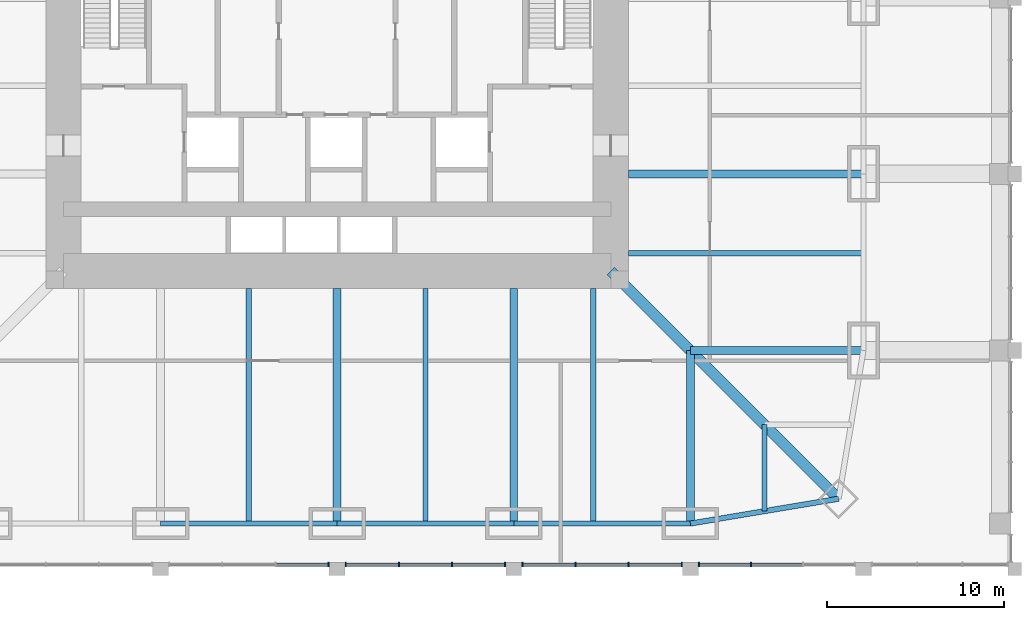
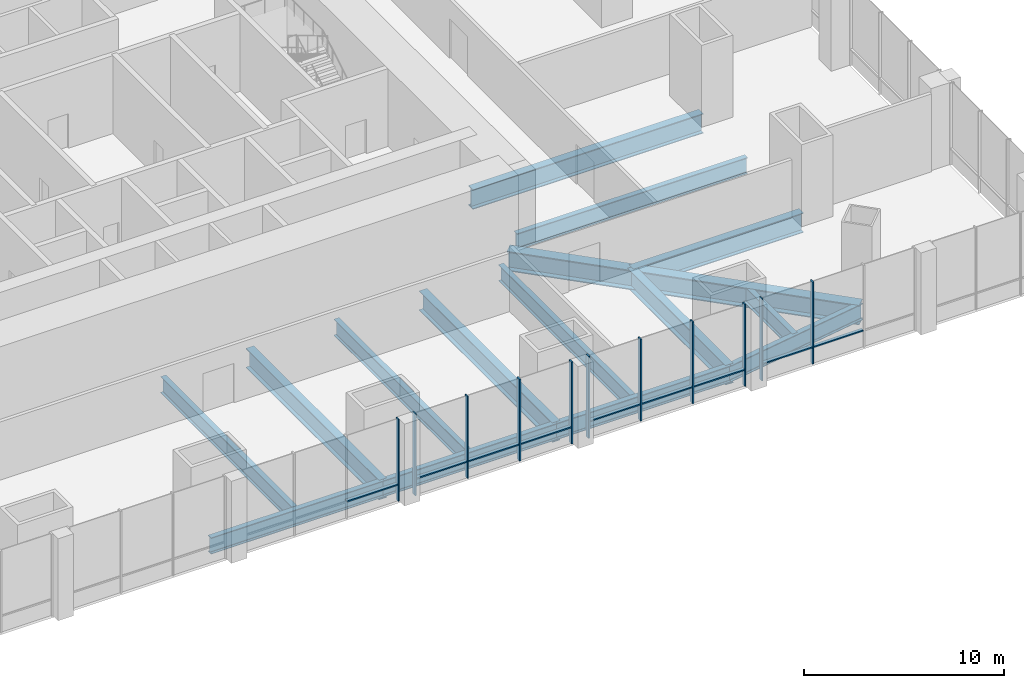
# One storey, part 4 of 22: 20 members, 15 beams, 4 elements without a shape of their own.
"""IFC4 building model written with IfcOpenShell, lengths in metres."""

import ifcopenshell
import ifcopenshell.guid

model = None  # the IFC model being written
_history = None  # IfcOwnerHistory: only IFC2X3 demands one
_inside = {}  # id of a spatial element -> (the spatial element, [elements in it])
_under = {}  # id of a project, library or spatial element -> (it, [spatial elements below it])
_declared = {}  # id of a project -> (the project, [libraries it declares])
_typed = {}  # id of a type object -> (the type object, [elements of that type])
_made_of = {}  # id of a material, layer set ... -> (it, [elements and type objects made of it])


def new_model(schema):
    """Start an empty IFC model of exactly this schema.

    Asked for "IFC4X3", IfcOpenShell would pick the latest addendum, in which some entities
    have other attributes; the version numbers below select the first issue.
    IFC2X3 requires an IfcOwnerHistory on every rooted entity: one is made here for all.
    """
    global model, _history
    if schema == "IFC4X3":
        model = ifcopenshell.file(schema_version=(4, 3, 0, 0))
    else:
        model = ifcopenshell.file(schema=schema)
    _inside.clear()
    _under.clear()
    _declared.clear()
    _typed.clear()
    _made_of.clear()
    _history = None
    if model.schema == "IFC2X3":
        org = make("IfcOrganization", Name="unknown")
        user = make(
            "IfcPersonAndOrganization",
            ThePerson=make("IfcPerson", FamilyName="unknown"),
            TheOrganization=org,
        )
        app = make(
            "IfcApplication",
            ApplicationDeveloper=org,
            Version="unknown",
            ApplicationFullName="unknown",
            ApplicationIdentifier="unknown",
        )
        _history = make(
            "IfcOwnerHistory",
            OwningUser=user,
            OwningApplication=app,
            ChangeAction="ADDED",
            CreationDate=0,
        )
    return model


def make(cls, **values):
    """One entity of the class cls with the attributes given. An attribute that is None is left unset."""
    return model.create_entity(
        cls, **{name: value for name, value in values.items() if value is not None}
    )


def rooted(cls, **values):
    """An entity with a GlobalId (a new one), such as an element, a storey or a relation."""
    return make(cls, GlobalId=ifcopenshell.guid.new(), OwnerHistory=_history, **values)


def si_unit(unit_type, name, prefix=None):
    """IfcSIUnit, for example si_unit("LENGTHUNIT", "METRE", prefix="MILLI")."""
    return make("IfcSIUnit", UnitType=unit_type, Prefix=prefix, Name=name)


def assignment(units):
    """IfcUnitAssignment: the units of a project."""
    return None if units is None else make("IfcUnitAssignment", Units=units)


def point(xyz):
    """IfcCartesianPoint."""
    return None if xyz is None else make("IfcCartesianPoint", Coordinates=xyz)


def direction(xyz):
    """IfcDirection."""
    return None if xyz is None else make("IfcDirection", DirectionRatios=xyz)


def frame(location, z_axis=None, x_axis=None):
    """IfcAxis2Placement3D, a coordinate frame: its origin and axes. An axis left out is left unset."""
    return make(
        "IfcAxis2Placement3D",
        Location=point(location),
        Axis=direction(z_axis),
        RefDirection=direction(x_axis),
    )


def frame_2d(location, x_axis=None):
    """IfcAxis2Placement2D, a coordinate frame in the plane: its origin and x axis."""
    return make(
        "IfcAxis2Placement2D", Location=point(location), RefDirection=direction(x_axis)
    )


def origin():
    """The frame at (0, 0, 0) with its axes left unset."""
    return frame((0.0, 0.0, 0.0))


def origin_2d():
    """The frame at (0, 0) in the plane with its x axis left unset."""
    return frame_2d((0.0, 0.0))


def place(relative_to, where):
    """IfcLocalPlacement: puts the frame where relative to a parent placement (None: the world)."""
    return make(
        "IfcLocalPlacement", PlacementRelTo=relative_to, RelativePlacement=where
    )


def context(
    kind, dimensions, precision=None, world=None, true_north=None, identifier=None
):
    """IfcGeometricRepresentationContext, for example the 3D "Model" context."""
    return make(
        "IfcGeometricRepresentationContext",
        ContextIdentifier=identifier,
        ContextType=kind,
        CoordinateSpaceDimension=dimensions,
        Precision=precision,
        WorldCoordinateSystem=world,
        TrueNorth=true_north,
    )


def subcontext(parent, identifier, kind, view, scale=None):
    """IfcGeometricRepresentationSubContext, for example "Body" below "Model"."""
    return make(
        "IfcGeometricRepresentationSubContext",
        ContextIdentifier=identifier,
        ContextType=kind,
        ParentContext=parent,
        TargetScale=scale,
        TargetView=view,
    )


def project(units=None, contexts=None):
    """IfcProject with its units and contexts."""
    return rooted(
        "IfcProject",
        Name="project",
        RepresentationContexts=contexts,
        UnitsInContext=assignment(units),
    )


def spatial(cls, under=None, at=None, **own):
    """A site, building, storey or space (cls), placed at a placement, below another one or the project."""
    s = rooted(cls, ObjectPlacement=at, **own)
    if under is not None:
        _under.setdefault(under.id(), (under, []))[1].append(s)
    return s


def profile(cls, at=None, kind="AREA", **sizes):
    """A parametric profile (cls). Its sizes go by their IFC names, for example OverallWidth=200.0."""
    return make(cls, ProfileType=kind, Position=at, **sizes)


def rectangle(**sizes):
    """IfcRectangleProfileDef."""
    return profile("IfcRectangleProfileDef", **sizes)


def i_section(**sizes):
    """IfcIShapeProfileDef."""
    return profile("IfcIShapeProfileDef", **sizes)


def extrude(swept, where, along, depth):
    """IfcExtrudedAreaSolid: the profile swept, set in the frame where, extruded along a direction by depth."""
    return make(
        "IfcExtrudedAreaSolid",
        SweptArea=swept,
        Position=where,
        ExtrudedDirection=direction(along),
        Depth=depth,
    )


def shape(context_of_items, identifier, shape_type, items):
    """IfcShapeRepresentation: the items that make up one representation, for example the "Body"."""
    return make(
        "IfcShapeRepresentation",
        ContextOfItems=context_of_items,
        RepresentationIdentifier=identifier,
        RepresentationType=shape_type,
        Items=items,
    )


def material(Name=None, Category=None):
    """IfcMaterial."""
    return make("IfcMaterial", Name=Name, Category=Category)


def material_profile(
    of_material, cross_section, Name=None, Category=None, Priority=None
):
    """IfcMaterialProfile: a cross section and its material."""
    return make(
        "IfcMaterialProfile",
        Name=Name,
        Material=of_material,
        Profile=cross_section,
        Priority=Priority,
        Category=Category,
    )


def profile_set(profiles, Name=None, composite=None):
    """IfcMaterialProfileSet."""
    return make(
        "IfcMaterialProfileSet",
        Name=Name,
        MaterialProfiles=profiles,
        CompositeProfile=composite,
    )


def made_of(thing, what):
    """Note that an element or type object is made of a material, layer set ...; save() writes the relation."""
    if what is not None:
        _made_of.setdefault(what.id(), (what, []))[1].append(thing)
    return thing


def type_object(cls, material=None, **own):
    """A type object (cls), such as IfcWallType, which elements share."""
    return made_of(rooted(cls, **own), material)


def element(
    cls,
    number,
    at=None,
    inside=None,
    cuts=None,
    type_object=None,
    material=None,
    context=None,
    identifier="Body",
    shape_type=None,
    held_by="IfcProductDefinitionShape",
    body=None,
    shapes=None,
    **own,
):
    """One element of the class cls, such as IfcWall. Its Tag is "e" and its number.

    at: its placement. inside: the storey or other place that contains it. cuts: it is an
    opening in that element (IfcRelVoidsElement). A single representation is given by context,
    identifier, shape_type and body (its items); several are given by shapes. held_by: the class
    of the entity that holds the representations. save() writes the other relations.
    """
    e = rooted(cls, Tag="e%d" % number, ObjectPlacement=at, **own)
    if body is not None:
        shapes = [shape(context, identifier, shape_type, body)]
    if shapes is not None:
        e.Representation = make(held_by, Representations=shapes)
    if inside is not None:
        _inside.setdefault(inside.id(), (inside, []))[1].append(e)
    if cuts is not None:
        rooted(
            "IfcRelVoidsElement", RelatingBuildingElement=cuts, RelatedOpeningElement=e
        )
    if type_object is not None:
        _typed.setdefault(type_object.id(), (type_object, []))[1].append(e)
    return made_of(e, material)


def aggregate(whole, parts):
    """IfcRelAggregates: a whole, such as a stair, and the parts it consists of."""
    return rooted("IfcRelAggregates", RelatingObject=whole, RelatedObjects=parts)


def save(model, path):
    """Write the relations noted so far, then the file.

    IfcRelAggregates (storeys below a building ...), IfcRelContainedInSpatialStructure (elements
    in a storey), IfcRelDefinesByType, IfcRelAssociatesMaterial and IfcRelDeclares: one each for
    every whole, place, type object, material and project.
    """
    for whole, parts in _under.values():
        aggregate(whole, parts)
    for where, things in _inside.values():
        rooted(
            "IfcRelContainedInSpatialStructure",
            RelatedElements=things,
            RelatingStructure=where,
        )
    for kind, things in _typed.values():
        rooted("IfcRelDefinesByType", RelatedObjects=things, RelatingType=kind)
    for what, things in _made_of.values():
        rooted("IfcRelAssociatesMaterial", RelatedObjects=things, RelatingMaterial=what)
    for by, libraries in _declared.values():
        rooted("IfcRelDeclares", RelatingContext=by, RelatedDefinitions=libraries)
    model.write(path)


model = new_model("IFC4")

# Units and contexts
model_context = context("Model", 3, precision=1e-05, world=origin(), true_north=direction((0.0, 1.0)))
body_context = subcontext(model_context, "Body", "Model", "MODEL_VIEW")
ifc_project = project(units=[si_unit("LENGTHUNIT", "METRE"), si_unit("AREAUNIT", "SQUARE_METRE"), si_unit("VOLUMEUNIT", "CUBIC_METRE"), si_unit("PLANEANGLEUNIT", "RADIAN"), si_unit("MASSUNIT", "GRAM", prefix="KILO")], contexts=[model_context])

# Site, building, storey
site_placement = place(None, origin())
site = spatial("IfcSite", under=ifc_project, at=site_placement, CompositionType="ELEMENT")
building_placement = place(site_placement, origin())
building = spatial("IfcBuilding", under=site, at=building_placement, Name="Khuree Lantern Residences", CompositionType="ELEMENT")
storey_placement = place(building_placement, frame((0.0, 0.0, 16.0)))
storey = spatial("IfcBuildingStorey", under=building, at=storey_placement, Name="L03", CompositionType="ELEMENT", Elevation=16.0)

# Beams
ifc_material_1 = material(Name="Steel S355", Category="steel")
ifc_material_profile_1 = material_profile(ifc_material_1, i_section(OverallWidth=0.300048828125, OverallDepth=1.0, WebThickness=0.01904296875, FlangeThickness=0.035888671875, FilletRadius=0.030029296875, at=origin_2d()), Name="HE 1000 B")
ifc_profile_set_1 = profile_set([ifc_material_profile_1], Name="Steel S355")
beam_type_1 = type_object("IfcBeamType", Name="B-03 SECONDARY BEAM HE 1000 B", PredefinedType="BEAM", material=ifc_profile_set_1)
beam_1_placement = place(storey_placement, frame((29.800048828125, -14.5, -0.800048828125), z_axis=(-1.0, 0.0, 0.0), x_axis=(0.0, -1.0, 0.0)))
element("IfcBeam", 1, at=beam_1_placement, inside=storey, type_object=beam_type_1, Name="Secondary beam E5", PredefinedType="BEAM", context=body_context, shape_type="SweptSolid", body=[
    extrude(i_section(OverallWidth=0.300048828125, OverallDepth=1.0, WebThickness=0.01904296875, FlangeThickness=0.035888671875, FilletRadius=0.030029296875, at=origin_2d()), origin(), (0.0, 0.0, 1.0), 13.300048828125),
])
beam_2_placement = place(storey_placement, frame((24.197021484375, -29.09716796875, -0.800048828125), z_axis=(0.0, 1.0, 0.0), x_axis=(-1.0, 0.0, 0.0)))
element("IfcBeam", 2, at=beam_2_placement, inside=storey, type_object=beam_type_1, Name="Secondary beam S1", PredefinedType="BEAM", context=body_context, shape_type="SweptSolid", body=[
    extrude(i_section(OverallWidth=0.300048828125, OverallDepth=1.0, WebThickness=0.01904296875, FlangeThickness=0.035888671875, FilletRadius=0.030029296875, at=origin_2d()), origin(), (0.0, 0.0, 1.0), 4.900146484375),
])
for number, where, z_axis, x_axis, name in (
    (3, (14.5, -29.800048828125, -0.800048828125), (0.0, 1.0, 0.0), (-1.0, 0.0, 0.0), "Secondary beam S2"),
    (4, (5.0, -29.800048828125, -0.800048828125), (0.0, 1.0, 0.0), (-1.0, 0.0, 0.0), "Secondary beam S3"),
    (5, (-5.0, -29.800048828125, -0.800048828125), (0.0, 1.0, 0.0), (-1.0, 0.0, 0.0), "Secondary beam S4"),
):
    element("IfcBeam", number, at=place(storey_placement, frame(where, z_axis=z_axis, x_axis=x_axis)), inside=storey, type_object=beam_type_1, Name=name, PredefinedType="BEAM", context=body_context, shape_type="SweptSolid", body=[
        extrude(i_section(OverallWidth=0.300048828125, OverallDepth=1.0, WebThickness=0.01904296875, FlangeThickness=0.035888671875, FilletRadius=0.030029296875, at=origin_2d()), origin(), (0.0, 0.0, 1.0), 13.300048828125),
    ])
ifc_material_profile_2 = material_profile(ifc_material_1, i_section(OverallWidth=0.300048828125, OverallDepth=1.0, WebThickness=0.01904296875, FlangeThickness=0.035888671875, FilletRadius=0.030029296875, at=origin_2d()), Name="HE 1000 B")
ifc_profile_set_2 = profile_set([ifc_material_profile_2], Name="Steel S355")
beam_type_2 = type_object("IfcBeamType", Name="E-03 SPANDREL BEAM HE 1000 B", PredefinedType="SPANDREL", material=ifc_profile_set_2)
beam_3_placement = place(storey_placement, frame((28.39404296875, -28.39404296875, -0.800048828125), z_axis=(-0.986260251158, -0.165199022349, 0.0), x_axis=(0.165199022349, -0.986260251158, 0.0)))
element("IfcBeam", 6, at=beam_3_placement, inside=storey, type_object=beam_type_2, Name="Spandrel beam S1", PredefinedType="SPANDREL", context=body_context, shape_type="SweptSolid", body=[
    extrude(i_section(OverallWidth=0.300048828125, OverallDepth=1.0, WebThickness=0.01904296875, FlangeThickness=0.035888671875, FilletRadius=0.030029296875, at=origin_2d()), origin(), (0.0, 0.0, 1.0), 8.510986328125),
])
for number, where, z_axis, x_axis, name in (
    (7, (20.0, -29.800048828125, -0.800048828125), (-1.0, 0.0, 0.0), (0.0, -1.0, 0.0), "Spandrel beam S2"),
    (8, (10.0, -29.800048828125, -0.800048828125), (-1.0, 0.0, 0.0), (0.0, -1.0, 0.0), "Spandrel beam S3"),
    (9, (0.0, -29.800048828125, -0.800048828125), (-1.0, 0.0, 0.0), (0.0, -1.0, 0.0), "Spandrel beam S4"),
):
    element("IfcBeam", number, at=place(storey_placement, frame(where, z_axis=z_axis, x_axis=x_axis)), inside=storey, type_object=beam_type_2, Name=name, PredefinedType="SPANDREL", context=body_context, shape_type="SweptSolid", body=[
        extrude(i_section(OverallWidth=0.300048828125, OverallDepth=1.0, WebThickness=0.01904296875, FlangeThickness=0.035888671875, FilletRadius=0.030029296875, at=origin_2d()), origin(), (0.0, 0.0, 1.0), 10.0),
    ])
ifc_material_profile_3 = material_profile(ifc_material_1, i_section(OverallWidth=0.449951171875, OverallDepth=1.199951171875, WebThickness=0.02490234375, FlangeThickness=0.044921875, at=origin_2d()), Name="WELDED I 1200X450X25X45")
ifc_profile_set_3 = profile_set([ifc_material_profile_3], Name="Steel S355")
beam_type_3 = type_object("IfcBeamType", Name="G-03 GIRDER WELDED I 1200X450X25X45", PredefinedType="BEAM", material=ifc_profile_set_3)
beam_4_placement = place(storey_placement, frame((29.800048828125, -10.0, -0.89990234375), z_axis=(-1.0, 0.0, 0.0), x_axis=(0.0, -1.0, 0.0)))
element("IfcBeam", 10, at=beam_4_placement, inside=storey, type_object=beam_type_3, Name="Girder E4", PredefinedType="BEAM", context=body_context, shape_type="SweptSolid", body=[
    extrude(i_section(OverallWidth=0.449951171875, OverallDepth=1.199951171875, WebThickness=0.02490234375, FlangeThickness=0.044921875, at=origin_2d()), origin(), (0.0, 0.0, 1.0), 13.300048828125),
])
for number, where, z_axis, x_axis, name in (
    (11, (29.800048828125, -20.0, -0.89990234375), (-1.0, 0.0, 0.0), (0.0, -1.0, 0.0), "Girder E5"),
    (12, (20.0, -29.800048828125, -0.89990234375), (0.0, 1.0, 0.0), (-1.0, 0.0, 0.0), "Girder S1"),
):
    element("IfcBeam", number, at=place(storey_placement, frame(where, z_axis=z_axis, x_axis=x_axis)), inside=storey, type_object=beam_type_3, Name=name, PredefinedType="BEAM", context=body_context, shape_type="SweptSolid", body=[
        extrude(i_section(OverallWidth=0.449951171875, OverallDepth=1.199951171875, WebThickness=0.02490234375, FlangeThickness=0.044921875, at=origin_2d()), origin(), (0.0, 0.0, 1.0), 9.800048828125),
    ])
for number, where, z_axis, x_axis, name in (
    (13, (10.0, -29.800048828125, -0.89990234375), (0.0, 1.0, 0.0), (-1.0, 0.0, 0.0), "Girder S2"),
    (14, (0.0, -29.800048828125, -0.89990234375), (0.0, 1.0, 0.0), (-1.0, 0.0, 0.0), "Girder S3"),
):
    element("IfcBeam", number, at=place(storey_placement, frame(where, z_axis=z_axis, x_axis=x_axis)), inside=storey, type_object=beam_type_3, Name=name, PredefinedType="BEAM", context=body_context, shape_type="SweptSolid", body=[
        extrude(i_section(OverallWidth=0.449951171875, OverallDepth=1.199951171875, WebThickness=0.02490234375, FlangeThickness=0.044921875, at=origin_2d()), origin(), (0.0, 0.0, 1.0), 13.300048828125),
    ])
ifc_material_profile_4 = material_profile(ifc_material_1, i_section(OverallWidth=0.60009765625, OverallDepth=1.199951171875, WebThickness=0.030029296875, FlangeThickness=0.06005859375, at=origin_2d()), Name="WELDED I 1200X600X30X60")
ifc_profile_set_4 = profile_set([ifc_material_profile_4], Name="Steel S355")
beam_type_4 = type_object("IfcBeamType", Name="GD-03 CORNER GIRDER WELDED I 1200X600X30X60", PredefinedType="BEAM", material=ifc_profile_set_4)
beam_5_placement = place(storey_placement, frame((28.39404296875, -28.39404296875, -0.89990234375), z_axis=(-0.707106781187, 0.707106781187, 0.0), x_axis=(-0.707106781187, -0.707106781187, 0.0)))
element("IfcBeam", 15, at=beam_5_placement, inside=storey, type_object=beam_type_4, Name="Corner girder SE", PredefinedType="BEAM", context=body_context, shape_type="SweptSolid", body=[
    extrude(i_section(OverallWidth=0.60009765625, OverallDepth=1.199951171875, WebThickness=0.030029296875, FlangeThickness=0.06005859375, at=origin_2d()), origin(), (0.0, 0.0, 1.0), 18.23486328125),
])

# Curtain wall, member
ifc_material_2 = material(Name="Bronze anodised aluminium", Category="aluminium")
curtain_wall_type = type_object("IfcCurtainWallType", Name="CW-P PODIUM STOREFRONT CURTAIN WALL", PredefinedType="USERDEFINED", material=ifc_material_2)
curtain_wall_1_placement = place(storey_placement, origin())
curtain_wall_1 = element("IfcCurtainWall", 16, at=curtain_wall_1_placement, inside=storey, type_object=curtain_wall_type, Name="L03 SOUTH FACE BAY 4 STOREFRONT", ObjectType="Storefront curtain wall", PredefinedType="USERDEFINED")
ifc_material_profile_5 = material_profile(ifc_material_2, rectangle(XDim=0.074951171875, YDim=0.25, at=origin_2d()), Name="M5 75X250")
ifc_profile_set_5 = profile_set([ifc_material_profile_5], Name="Bronze anodised aluminium")
member_type_1 = type_object("IfcMemberType", Name="MULLION M5 STOREFRONT 75X250", PredefinedType="MULLION", material=ifc_profile_set_5)
member_1_placement = place(storey_placement, frame((-0.487548828125, -32.125, 0.0), z_axis=(0.0, 0.0, 1.0), x_axis=(1.0, 0.0, 0.0)))
member_1 = element("IfcMember", 17, at=member_1_placement, type_object=member_type_1, Name="L03 SOUTH FACE BAY 4 MULLION 4", PredefinedType="MULLION", context=body_context, shape_type="SweptSolid", body=[
    extrude(rectangle(XDim=0.074951171875, YDim=0.25, at=origin_2d()), origin(), (0.0, 0.0, 1.0), 5.0),
])

# Curtain wall, members
curtain_wall_2_placement = place(storey_placement, origin())
curtain_wall_2 = element("IfcCurtainWall", 18, at=curtain_wall_2_placement, inside=storey, type_object=curtain_wall_type, Name="L03 SOUTH FACE BAY 5 STOREFRONT", ObjectType="Storefront curtain wall", PredefinedType="USERDEFINED")
member_2_placement = place(storey_placement, frame((0.487548828125, -32.125, 0.0), z_axis=(0.0, 0.0, 1.0), x_axis=(1.0, 0.0, 0.0)))
member_2 = element("IfcMember", 19, at=member_2_placement, type_object=member_type_1, Name="L03 SOUTH FACE BAY 5 MULLION 1", PredefinedType="MULLION", context=body_context, shape_type="SweptSolid", body=[
    extrude(rectangle(XDim=0.074951171875, YDim=0.25, at=origin_2d()), origin(), (0.0, 0.0, 1.0), 5.0),
])
member_3_placement = place(storey_placement, frame((3.495849609375, -32.125, 0.0), z_axis=(0.0, 0.0, 1.0), x_axis=(1.0, 0.0, 0.0)))
member_3 = element("IfcMember", 20, at=member_3_placement, type_object=member_type_1, Name="L03 SOUTH FACE BAY 5 MULLION 2", PredefinedType="MULLION", context=body_context, shape_type="SweptSolid", body=[
    extrude(rectangle(XDim=0.074951171875, YDim=0.25, at=origin_2d()), origin(), (0.0, 0.0, 1.0), 5.0),
])
member_4_placement = place(storey_placement, frame((6.504150390625, -32.125, 0.0), z_axis=(0.0, 0.0, 1.0), x_axis=(1.0, 0.0, 0.0)))
member_4 = element("IfcMember", 21, at=member_4_placement, type_object=member_type_1, Name="L03 SOUTH FACE BAY 5 MULLION 3", PredefinedType="MULLION", context=body_context, shape_type="SweptSolid", body=[
    extrude(rectangle(XDim=0.074951171875, YDim=0.25, at=origin_2d()), origin(), (0.0, 0.0, 1.0), 5.0),
])
member_5_placement = place(storey_placement, frame((9.512451171875, -32.125, 0.0), z_axis=(0.0, 0.0, 1.0), x_axis=(1.0, 0.0, 0.0)))
member_5 = element("IfcMember", 22, at=member_5_placement, type_object=member_type_1, Name="L03 SOUTH FACE BAY 5 MULLION 4", PredefinedType="MULLION", context=body_context, shape_type="SweptSolid", body=[
    extrude(rectangle(XDim=0.074951171875, YDim=0.25, at=origin_2d()), origin(), (0.0, 0.0, 1.0), 5.0),
])

curtain_wall_3_placement = place(storey_placement, origin())
curtain_wall_3 = element("IfcCurtainWall", 23, at=curtain_wall_3_placement, inside=storey, type_object=curtain_wall_type, Name="L03 SOUTH FACE BAY 6 STOREFRONT", ObjectType="Storefront curtain wall", PredefinedType="USERDEFINED")
member_6_placement = place(storey_placement, frame((10.487548828125, -32.125, 0.0), z_axis=(0.0, 0.0, 1.0), x_axis=(1.0, 0.0, 0.0)))
member_6 = element("IfcMember", 24, at=member_6_placement, type_object=member_type_1, Name="L03 SOUTH FACE BAY 6 MULLION 1", PredefinedType="MULLION", context=body_context, shape_type="SweptSolid", body=[
    extrude(rectangle(XDim=0.074951171875, YDim=0.25, at=origin_2d()), origin(), (0.0, 0.0, 1.0), 5.0),
])
member_7_placement = place(storey_placement, frame((13.495849609375, -32.125, 0.0), z_axis=(0.0, 0.0, 1.0), x_axis=(1.0, 0.0, 0.0)))
member_7 = element("IfcMember", 25, at=member_7_placement, type_object=member_type_1, Name="L03 SOUTH FACE BAY 6 MULLION 2", PredefinedType="MULLION", context=body_context, shape_type="SweptSolid", body=[
    extrude(rectangle(XDim=0.074951171875, YDim=0.25, at=origin_2d()), origin(), (0.0, 0.0, 1.0), 5.0),
])
member_8_placement = place(storey_placement, frame((16.504150390625, -32.125, 0.0), z_axis=(0.0, 0.0, 1.0), x_axis=(1.0, 0.0, 0.0)))
member_8 = element("IfcMember", 26, at=member_8_placement, type_object=member_type_1, Name="L03 SOUTH FACE BAY 6 MULLION 3", PredefinedType="MULLION", context=body_context, shape_type="SweptSolid", body=[
    extrude(rectangle(XDim=0.074951171875, YDim=0.25, at=origin_2d()), origin(), (0.0, 0.0, 1.0), 5.0),
])
member_9_placement = place(storey_placement, frame((19.512451171875, -32.125, 0.0), z_axis=(0.0, 0.0, 1.0), x_axis=(1.0, 0.0, 0.0)))
member_9 = element("IfcMember", 27, at=member_9_placement, type_object=member_type_1, Name="L03 SOUTH FACE BAY 6 MULLION 4", PredefinedType="MULLION", context=body_context, shape_type="SweptSolid", body=[
    extrude(rectangle(XDim=0.074951171875, YDim=0.25, at=origin_2d()), origin(), (0.0, 0.0, 1.0), 5.0),
])

curtain_wall_4_placement = place(storey_placement, origin())
curtain_wall_4 = element("IfcCurtainWall", 28, at=curtain_wall_4_placement, inside=storey, type_object=curtain_wall_type, Name="L03 SOUTH FACE BAY 7 STOREFRONT", ObjectType="Storefront curtain wall", PredefinedType="USERDEFINED")
member_10_placement = place(storey_placement, frame((20.487548828125, -32.125, 0.0), z_axis=(0.0, 0.0, 1.0), x_axis=(1.0, 0.0, 0.0)))
member_10 = element("IfcMember", 29, at=member_10_placement, type_object=member_type_1, Name="L03 SOUTH FACE BAY 7 MULLION 1", PredefinedType="MULLION", context=body_context, shape_type="SweptSolid", body=[
    extrude(rectangle(XDim=0.074951171875, YDim=0.25, at=origin_2d()), origin(), (0.0, 0.0, 1.0), 5.0),
])
member_11_placement = place(storey_placement, frame((23.42919921875, -32.125, 0.0), z_axis=(0.0, 0.0, 1.0), x_axis=(1.0, 0.0, 0.0)))
member_11 = element("IfcMember", 30, at=member_11_placement, type_object=member_type_1, Name="L03 SOUTH FACE BAY 7 MULLION 2", PredefinedType="MULLION", context=body_context, shape_type="SweptSolid", body=[
    extrude(rectangle(XDim=0.074951171875, YDim=0.25, at=origin_2d()), origin(), (0.0, 0.0, 1.0), 5.0),
])

# Member
ifc_material_profile_6 = material_profile(ifc_material_2, rectangle(XDim=0.199951171875, YDim=0.074951171875, at=origin_2d()), Name="T5 200X75")
ifc_profile_set_6 = profile_set([ifc_material_profile_6], Name="Bronze anodised aluminium")
member_type_2 = type_object("IfcMemberType", Name="TRANSOM T5 STOREFRONT 200X75", PredefinedType="USERDEFINED", material=ifc_profile_set_6)
member_12_placement = place(storey_placement, frame((-3.458251953125, -32.1201171875, 1.0), z_axis=(1.0, 0.0, 0.0), x_axis=(0.0, 1.0, 0.0)))
member_12 = element("IfcMember", 31, at=member_12_placement, type_object=member_type_2, Name="L03 SOUTH FACE BAY 4 TRANSOM 3", ObjectType="Transom", PredefinedType="USERDEFINED", context=body_context, shape_type="SweptSolid", body=[
    extrude(rectangle(XDim=0.199951171875, YDim=0.074951171875, at=origin_2d()), origin(), (0.0, 0.0, 1.0), 2.933349609375),
])

aggregate(curtain_wall_1, [member_1, member_12])

member_13_placement = place(storey_placement, frame((0.52490234375, -32.1201171875, 1.0), z_axis=(1.0, 0.0, 0.0), x_axis=(0.0, 1.0, 0.0)))
member_13 = element("IfcMember", 32, at=member_13_placement, type_object=member_type_2, Name="L03 SOUTH FACE BAY 5 TRANSOM 1", ObjectType="Transom", PredefinedType="USERDEFINED", context=body_context, shape_type="SweptSolid", body=[
    extrude(rectangle(XDim=0.199951171875, YDim=0.074951171875, at=origin_2d()), origin(), (0.0, 0.0, 1.0), 2.933349609375),
])

member_14_placement = place(storey_placement, frame((3.533447265625, -32.1201171875, 1.0), z_axis=(1.0, 0.0, 0.0), x_axis=(0.0, 1.0, 0.0)))
member_14 = element("IfcMember", 33, at=member_14_placement, type_object=member_type_2, Name="L03 SOUTH FACE BAY 5 TRANSOM 2", ObjectType="Transom", PredefinedType="USERDEFINED", context=body_context, shape_type="SweptSolid", body=[
    extrude(rectangle(XDim=0.199951171875, YDim=0.074951171875, at=origin_2d()), origin(), (0.0, 0.0, 1.0), 2.93310546875),
])

member_15_placement = place(storey_placement, frame((6.541748046875, -32.1201171875, 1.0), z_axis=(1.0, 0.0, 0.0), x_axis=(0.0, 1.0, 0.0)))
member_15 = element("IfcMember", 34, at=member_15_placement, type_object=member_type_2, Name="L03 SOUTH FACE BAY 5 TRANSOM 3", ObjectType="Transom", PredefinedType="USERDEFINED", context=body_context, shape_type="SweptSolid", body=[
    extrude(rectangle(XDim=0.199951171875, YDim=0.074951171875, at=origin_2d()), origin(), (0.0, 0.0, 1.0), 2.933349609375),
])

aggregate(curtain_wall_2, [member_2, member_3, member_4, member_5, member_13, member_14, member_15])

member_16_placement = place(storey_placement, frame((10.52490234375, -32.1201171875, 1.0), z_axis=(1.0, 0.0, 0.0), x_axis=(0.0, 1.0, 0.0)))
member_16 = element("IfcMember", 35, at=member_16_placement, type_object=member_type_2, Name="L03 SOUTH FACE BAY 6 TRANSOM 1", ObjectType="Transom", PredefinedType="USERDEFINED", context=body_context, shape_type="SweptSolid", body=[
    extrude(rectangle(XDim=0.199951171875, YDim=0.074951171875, at=origin_2d()), origin(), (0.0, 0.0, 1.0), 2.933349609375),
])

member_17_placement = place(storey_placement, frame((13.533447265625, -32.1201171875, 1.0), z_axis=(1.0, 0.0, 0.0), x_axis=(0.0, 1.0, 0.0)))
member_17 = element("IfcMember", 36, at=member_17_placement, type_object=member_type_2, Name="L03 SOUTH FACE BAY 6 TRANSOM 2", ObjectType="Transom", PredefinedType="USERDEFINED", context=body_context, shape_type="SweptSolid", body=[
    extrude(rectangle(XDim=0.199951171875, YDim=0.074951171875, at=origin_2d()), origin(), (0.0, 0.0, 1.0), 2.93310546875),
])

member_18_placement = place(storey_placement, frame((16.541748046875, -32.1201171875, 1.0), z_axis=(1.0, 0.0, 0.0), x_axis=(0.0, 1.0, 0.0)))
member_18 = element("IfcMember", 37, at=member_18_placement, type_object=member_type_2, Name="L03 SOUTH FACE BAY 6 TRANSOM 3", ObjectType="Transom", PredefinedType="USERDEFINED", context=body_context, shape_type="SweptSolid", body=[
    extrude(rectangle(XDim=0.199951171875, YDim=0.074951171875, at=origin_2d()), origin(), (0.0, 0.0, 1.0), 2.933349609375),
])

aggregate(curtain_wall_3, [member_6, member_7, member_8, member_9, member_16, member_17, member_18])

member_19_placement = place(storey_placement, frame((20.52490234375, -32.1201171875, 1.0), z_axis=(1.0, 0.0, 0.0), x_axis=(0.0, 1.0, 0.0)))
member_19 = element("IfcMember", 38, at=member_19_placement, type_object=member_type_2, Name="L03 SOUTH FACE BAY 7 TRANSOM 1", ObjectType="Transom", PredefinedType="USERDEFINED", context=body_context, shape_type="SweptSolid", body=[
    extrude(rectangle(XDim=0.199951171875, YDim=0.074951171875, at=origin_2d()), origin(), (0.0, 0.0, 1.0), 2.86669921875),
])

member_20_placement = place(storey_placement, frame((23.466552734375, -32.1201171875, 1.0), z_axis=(1.0, 0.0, 0.0), x_axis=(0.0, 1.0, 0.0)))
member_20 = element("IfcMember", 39, at=member_20_placement, type_object=member_type_2, Name="L03 SOUTH FACE BAY 7 TRANSOM 2", ObjectType="Transom", PredefinedType="USERDEFINED", context=body_context, shape_type="SweptSolid", body=[
    extrude(rectangle(XDim=0.199951171875, YDim=0.074951171875, at=origin_2d()), origin(), (0.0, 0.0, 1.0), 2.86669921875),
])

aggregate(curtain_wall_4, [member_10, member_11, member_19, member_20])

save(model, "model.ifc")
